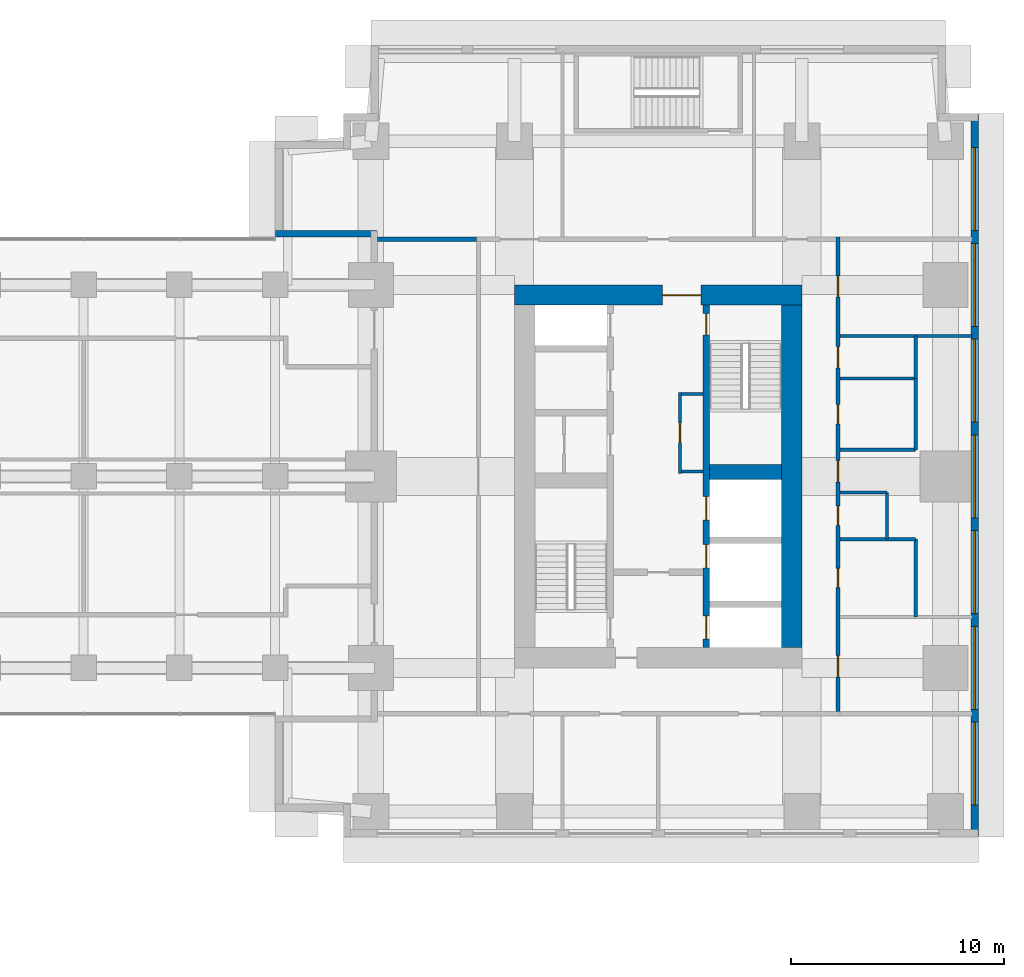
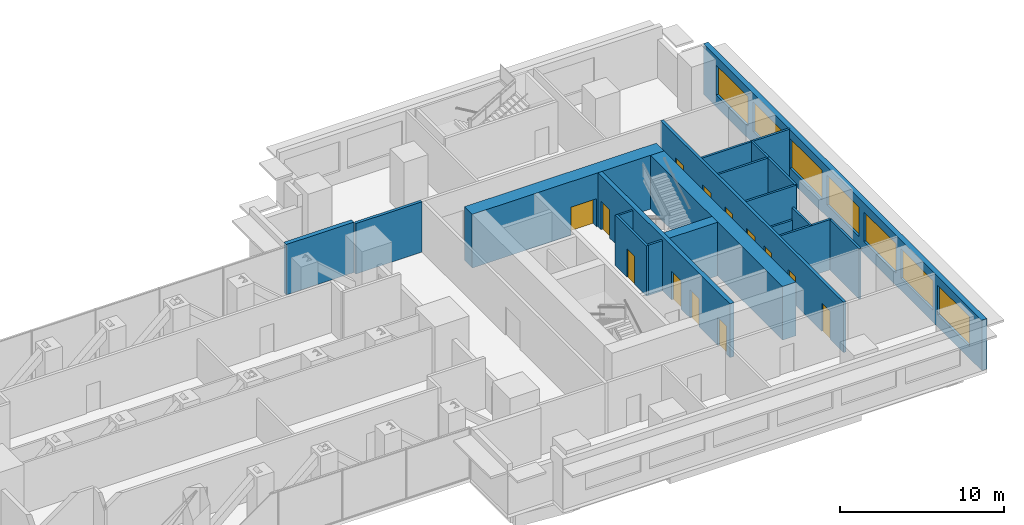
# One storey, part 11 of 16: 20 walls, 13 doors, 7 windows, 20 openings.
"""IFC4 building model written with IfcOpenShell, lengths in metres."""

from ifc_helpers import new_model, si_unit, direction, frame, frame_2d, origin, place, context, subcontext, project, spatial, rectangle, extrude, material, layer, layer_set, type_object, element, fill, save


model = new_model("IFC4")

# Units and contexts
model_context = context("Model", 3, precision=1e-05, world=origin(), true_north=direction((0.0, 1.0)))
body_context = subcontext(model_context, "Body", "Model", "MODEL_VIEW")
ifc_project = project(units=[si_unit("LENGTHUNIT", "METRE"), si_unit("AREAUNIT", "SQUARE_METRE"), si_unit("VOLUMEUNIT", "CUBIC_METRE"), si_unit("PLANEANGLEUNIT", "RADIAN"), si_unit("MASSUNIT", "GRAM", prefix="KILO")], contexts=[model_context])

# Site, building, storey
site_placement = place(None, origin())
site = spatial("IfcSite", under=ifc_project, at=site_placement, CompositionType="ELEMENT")
building_placement = place(site_placement, origin())
building = spatial("IfcBuilding", under=site, at=building_placement, Name="Namib Vertical Campus", CompositionType="ELEMENT")
storey_placement = place(building_placement, frame((0.0, 0.0, 129.0)))
storey = spatial("IfcBuildingStorey", under=building, at=storey_placement, Name="L30", CompositionType="ELEMENT", Elevation=129.0)

# Wall, openings, doors
ifc_material_1 = material(Name="Concrete C60/75", Category="concrete")
ifc_layer_1 = layer(ifc_material_1, 0.300048828125)
ifc_layer_set_1 = layer_set([ifc_layer_1], Name="Concrete C60/75")
wall_type_1 = type_object("IfcWallType", Name="Core inner wall 300", PredefinedType="SHEAR", material=ifc_layer_set_1)
wall_1_placement = place(storey_placement, frame((83.25, 12.199951171875, 0.0), z_axis=(0.0, 0.0, 1.0), x_axis=(0.0, 1.0, 0.0)))
wall_1 = element("IfcWall", 1, at=wall_1_placement, inside=storey, type_object=wall_type_1, Name="Core inner wall B L30 W2", PredefinedType="SHEAR", context=body_context, shape_type="SweptSolid", body=[
    extrude(rectangle(XDim=16.10009765625, YDim=0.300048828125, at=frame_2d((8.050048828125, 0.0))), origin(), (0.0, 0.0, 1.0), 4.0),
])
opening_1_placement = place(wall_1_placement, frame((14.699951171875, 0.0, 0.0)))
opening_1 = element("IfcOpeningElement", 2, at=opening_1_placement, cuts=wall_1, Name="Opening FD1", PredefinedType="OPENING", context=body_context, shape_type="SweptSolid", body=[
    extrude(rectangle(XDim=1.0, YDim=2.10009765625, at=frame_2d((0.5, 1.050048828125))), frame((0.0, 0.159912109375, 0.0), z_axis=(0.0, -1.0, 0.0), x_axis=(1.0, 0.0, 0.0)), (0.0, 0.0, 1.0), 0.320068359375),
])
opening_2_placement = place(wall_1_placement, frame((0.39990234375, 0.0, 0.0)))
opening_2 = element("IfcOpeningElement", 3, at=opening_2_placement, cuts=wall_1, Name="Opening LD1", PredefinedType="OPENING", context=body_context, shape_type="SweptSolid", body=[
    extrude(rectangle(XDim=1.10009765625, YDim=2.10009765625, at=frame_2d((0.550048828125, 1.050048828125))), frame((0.0, 0.159912109375, 0.0), z_axis=(0.0, -1.0, 0.0), x_axis=(1.0, 0.0, 0.0)), (0.0, 0.0, 1.0), 0.320068359375),
])
opening_3_placement = place(wall_1_placement, frame((3.75, 0.0, 0.0)))
opening_3 = element("IfcOpeningElement", 4, at=opening_3_placement, cuts=wall_1, Name="Opening LD1", PredefinedType="OPENING", context=body_context, shape_type="SweptSolid", body=[
    extrude(rectangle(XDim=1.10009765625, YDim=2.10009765625, at=frame_2d((0.550048828125, 1.050048828125))), frame((0.0, 0.159912109375, 0.0), z_axis=(0.0, -1.0, 0.0), x_axis=(1.0, 0.0, 0.0)), (0.0, 0.0, 1.0), 0.320068359375),
])
opening_4_placement = place(wall_1_placement, frame((6.0, 0.0, 0.0)))
opening_4 = element("IfcOpeningElement", 5, at=opening_4_placement, cuts=wall_1, Name="Opening LD1", PredefinedType="OPENING", context=body_context, shape_type="SweptSolid", body=[
    extrude(rectangle(XDim=1.10009765625, YDim=2.10009765625, at=frame_2d((0.550048828125, 1.050048828125))), frame((0.0, 0.159912109375, 0.0), z_axis=(0.0, -1.0, 0.0), x_axis=(1.0, 0.0, 0.0)), (0.0, 0.0, 1.0), 0.320068359375),
])
ifc_material_2 = material(Name="Steel fire door", Category="steel")
door_type_1 = type_object("IfcDoorType", Name="Fire door 1000x2100", OperationType="SINGLE_SWING_RIGHT", PredefinedType="DOOR", material=ifc_material_2)
door_1_placement = place(opening_1_placement, frame((1.0, 0.0, 0.0), z_axis=(0.0, 0.0, 1.0), x_axis=(-1.0, 0.0, 0.0)))
door_1 = element("IfcDoor", 6, at=door_1_placement, inside=storey, type_object=door_type_1, Name="Stair door FD1 B L30 S2", OperationType="SINGLE_SWING_LEFT", OverallHeight=2.10009765625, OverallWidth=1.0, PredefinedType="DOOR", context=body_context, shape_type="SweptSolid", body=[
    extrude(rectangle(XDim=1.0, YDim=2.10009765625, at=frame_2d((0.5, 1.050048828125))), frame((0.0, 0.02490234375, 0.0), z_axis=(0.0, -1.0, 0.0), x_axis=(1.0, 0.0, 0.0)), (0.0, 0.0, 1.0), 0.050048828125),
])
fill(opening_1, door_1)
ifc_material_3 = material(Name="Stainless steel lift door", Category="steel")
door_type_2 = type_object("IfcDoorType", Name="Lift landing door 1100x2100", OperationType="DOUBLE_DOOR_SLIDING", PredefinedType="DOOR", material=ifc_material_3)
door_2_placement = place(opening_2_placement, origin())
door_2 = element("IfcDoor", 7, at=door_2_placement, inside=storey, type_object=door_type_2, Name="Lift landing door LD1 B-FL1 L30", OperationType="DOUBLE_DOOR_SLIDING", OverallHeight=2.10009765625, OverallWidth=1.10009765625, PredefinedType="DOOR", context=body_context, shape_type="SweptSolid", body=[
    extrude(rectangle(XDim=1.10009765625, YDim=2.10009765625, at=frame_2d((0.550048828125, 1.050048828125))), frame((0.0, 0.02490234375, 0.0), z_axis=(0.0, -1.0, 0.0), x_axis=(1.0, 0.0, 0.0)), (0.0, 0.0, 1.0), 0.050048828125),
])
fill(opening_2, door_2)
door_3_placement = place(opening_3_placement, origin())
door_3 = element("IfcDoor", 8, at=door_3_placement, inside=storey, type_object=door_type_2, Name="Lift landing door LD1 B-P4 L30", OperationType="DOUBLE_DOOR_SLIDING", OverallHeight=2.10009765625, OverallWidth=1.10009765625, PredefinedType="DOOR", context=body_context, shape_type="SweptSolid", body=[
    extrude(rectangle(XDim=1.10009765625, YDim=2.10009765625, at=frame_2d((0.550048828125, 1.050048828125))), frame((0.0, 0.02490234375, 0.0), z_axis=(0.0, -1.0, 0.0), x_axis=(1.0, 0.0, 0.0)), (0.0, 0.0, 1.0), 0.050048828125),
])
fill(opening_3, door_3)
door_4_placement = place(opening_4_placement, origin())
door_4 = element("IfcDoor", 9, at=door_4_placement, inside=storey, type_object=door_type_2, Name="Lift landing door LD1 B-P5 L30", OperationType="DOUBLE_DOOR_SLIDING", OverallHeight=2.10009765625, OverallWidth=1.10009765625, PredefinedType="DOOR", context=body_context, shape_type="SweptSolid", body=[
    extrude(rectangle(XDim=1.10009765625, YDim=2.10009765625, at=frame_2d((0.550048828125, 1.050048828125))), frame((0.0, 0.02490234375, 0.0), z_axis=(0.0, -1.0, 0.0), x_axis=(1.0, 0.0, 0.0)), (0.0, 0.0, 1.0), 0.050048828125),
])
fill(opening_4, door_4)

# Walls
ifc_material_4 = material(Name="Concrete C60/75", Category="concrete")
ifc_layer_2 = layer(ifc_material_4, 0.699951171875)
ifc_layer_set_2 = layer_set([ifc_layer_2], Name="Concrete C60/75")
wall_type_2 = type_object("IfcWallType", Name="Core shear wall 700", PredefinedType="SHEAR", material=ifc_layer_set_2)
wall_2_placement = place(storey_placement, frame((83.39990234375, 20.449951171875, 0.0), z_axis=(0.0, 0.0, 1.0), x_axis=(1.0, 0.0, 0.0)))
element("IfcWall", 10, at=wall_2_placement, inside=storey, type_object=wall_type_2, Name="Core shear wall B L30 W7", PredefinedType="SHEAR", context=body_context, shape_type="SweptSolid", body=[
    extrude(rectangle(XDim=3.400146484375, YDim=0.699951171875, at=frame_2d((1.7001953125, 0.0))), origin(), (0.0, 0.0, 1.0), 4.0),
])
ifc_material_5 = material(Name="Concrete C60/75", Category="concrete")
ifc_layer_3 = layer(ifc_material_5, 0.949951171875)
ifc_layer_set_3 = layer_set([ifc_layer_3], Name="Concrete C60/75")
wall_type_3 = type_object("IfcWallType", Name="Core wall 950", PredefinedType="SHEAR", material=ifc_layer_set_3)
wall_3_placement = place(storey_placement, frame((87.27490234375, 12.199951171875, 0.0), z_axis=(0.0, 0.0, 1.0), x_axis=(0.0, 1.0, 0.0)))
element("IfcWall", 11, at=wall_3_placement, inside=storey, type_object=wall_type_3, Name="Core wall B L30 2", PredefinedType="SHEAR", context=body_context, shape_type="SweptSolid", body=[
    extrude(rectangle(XDim=16.10009765625, YDim=0.949951171875, at=frame_2d((8.050048828125, 0.0))), origin(), (0.0, 0.0, 1.0), 4.0),
])

# Wall, opening, door
wall_4_placement = place(storey_placement, frame((87.75, 28.77490234375, 0.0), z_axis=(0.0, 0.0, 1.0), x_axis=(-1.0, 0.0, 0.0)))
wall_4 = element("IfcWall", 12, at=wall_4_placement, inside=storey, type_object=wall_type_3, Name="Core wall B L30 3", PredefinedType="SHEAR", context=body_context, shape_type="SweptSolid", body=[
    extrude(rectangle(XDim=13.5, YDim=0.949951171875, at=frame_2d((6.75, 0.0))), origin(), (0.0, 0.0, 1.0), 4.0),
])
opening_5_placement = place(wall_4_placement, frame((4.75, 0.0, 0.0)))
opening_5 = element("IfcOpeningElement", 13, at=opening_5_placement, cuts=wall_4, Name="Opening FD2", PredefinedType="OPENING", context=body_context, shape_type="SweptSolid", body=[
    extrude(rectangle(XDim=1.800048828125, YDim=2.10009765625, at=frame_2d((0.89990234375, 1.050048828125))), frame((0.0, 0.48486328125, 0.0), z_axis=(0.0, -1.0, 0.0), x_axis=(1.0, 0.0, 0.0)), (0.0, 0.0, 1.0), 0.969970703125),
])
ifc_material_6 = material(Name="Steel fire door", Category="steel")
door_type_3 = type_object("IfcDoorType", Name="Fire door double 1800x2100", OperationType="DOUBLE_DOOR_SINGLE_SWING", PredefinedType="DOOR", material=ifc_material_6)
door_5_placement = place(opening_5_placement, origin())
door_5 = element("IfcDoor", 14, at=door_5_placement, inside=storey, type_object=door_type_3, Name="Lift lobby door FD2 B L30", OperationType="DOUBLE_DOOR_SINGLE_SWING", OverallHeight=2.10009765625, OverallWidth=1.800048828125, PredefinedType="DOOR", context=body_context, shape_type="SweptSolid", body=[
    extrude(rectangle(XDim=1.800048828125, YDim=2.10009765625, at=frame_2d((0.89990234375, 1.050048828125))), frame((0.0, 0.02490234375, 0.0), z_axis=(0.0, -1.0, 0.0), x_axis=(1.0, 0.0, 0.0)), (0.0, 0.0, 1.0), 0.050048828125),
])
fill(opening_5, door_5)

# Wall, openings, doors
ifc_material_7 = material(Name="Concrete masonry", Category="masonry")
ifc_layer_4 = layer(ifc_material_7, 0.199951171875)
ifc_layer_set_4 = layer_set([ifc_layer_4], Name="Corridor wall 200")
wall_type_4 = type_object("IfcWallType", Name="Corridor wall 200", PredefinedType="SOLIDWALL", material=ifc_layer_set_4)
wall_5_placement = place(storey_placement, frame((89.449951171875, 9.199951171875, 0.0), z_axis=(0.0, 0.0, 1.0), x_axis=(0.0, 1.0, 0.0)))
wall_5 = element("IfcWall", 15, at=wall_5_placement, inside=storey, type_object=wall_type_4, Name="Corridor wall B L30 CE", PredefinedType="SOLIDWALL", context=body_context, shape_type="SweptSolid", body=[
    extrude(rectangle(XDim=22.300048828125, YDim=0.199951171875, at=frame_2d((11.14990234375, 0.0))), origin(), (0.0, 0.0, 1.0), 3.75),
])
opening_6_placement = place(wall_5_placement, frame((1.625, 0.0, 0.0)))
opening_6 = element("IfcOpeningElement", 16, at=opening_6_placement, cuts=wall_5, Name="Opening CD1", PredefinedType="OPENING", context=body_context, shape_type="SweptSolid", body=[
    extrude(rectangle(XDim=1.0, YDim=2.10009765625, at=frame_2d((0.5, 1.050048828125))), frame((0.0, 0.10986328125, 0.0), z_axis=(0.0, -1.0, 0.0), x_axis=(1.0, 0.0, 0.0)), (0.0, 0.0, 1.0), 0.219970703125),
])
opening_7_placement = place(wall_5_placement, frame((5.824951171875, 0.0, 0.0)))
opening_7 = element("IfcOpeningElement", 17, at=opening_7_placement, cuts=wall_5, Name="Opening CD3", PredefinedType="OPENING", context=body_context, shape_type="SweptSolid", body=[
    extrude(rectangle(XDim=0.89990234375, YDim=2.10009765625, at=frame_2d((0.449951171875, 1.050048828125))), frame((0.0, 0.10986328125, 0.0), z_axis=(0.0, -1.0, 0.0), x_axis=(1.0, 0.0, 0.0)), (0.0, 0.0, 1.0), 0.219970703125),
])
opening_8_placement = place(wall_5_placement, frame((8.75, 0.0, 0.0)))
opening_8 = element("IfcOpeningElement", 18, at=opening_8_placement, cuts=wall_5, Name="Opening CD3", PredefinedType="OPENING", context=body_context, shape_type="SweptSolid", body=[
    extrude(rectangle(XDim=0.89990234375, YDim=2.10009765625, at=frame_2d((0.449951171875, 1.050048828125))), frame((0.0, 0.10986328125, 0.0), z_axis=(0.0, -1.0, 0.0), x_axis=(1.0, 0.0, 0.0)), (0.0, 0.0, 1.0), 0.219970703125),
])
opening_9_placement = place(wall_5_placement, frame((13.52490234375, 0.0, 0.0)))
opening_9 = element("IfcOpeningElement", 19, at=opening_9_placement, cuts=wall_5, Name="Opening CD3", PredefinedType="OPENING", context=body_context, shape_type="SweptSolid", body=[
    extrude(rectangle(XDim=0.89990234375, YDim=2.10009765625, at=frame_2d((0.449951171875, 1.050048828125))), frame((0.0, 0.10986328125, 0.0), z_axis=(0.0, -1.0, 0.0), x_axis=(1.0, 0.0, 0.0)), (0.0, 0.0, 1.0), 0.219970703125),
])
opening_10_placement = place(wall_5_placement, frame((16.14990234375, 0.0, 0.0)))
opening_10 = element("IfcOpeningElement", 20, at=opening_10_placement, cuts=wall_5, Name="Opening CD1", PredefinedType="OPENING", context=body_context, shape_type="SweptSolid", body=[
    extrude(rectangle(XDim=1.0, YDim=2.10009765625, at=frame_2d((0.5, 1.050048828125))), frame((0.0, 0.10986328125, 0.0), z_axis=(0.0, -1.0, 0.0), x_axis=(1.0, 0.0, 0.0)), (0.0, 0.0, 1.0), 0.219970703125),
])
opening_11_placement = place(wall_5_placement, frame((10.800048828125, 0.0, 0.0)))
opening_11 = element("IfcOpeningElement", 21, at=opening_11_placement, cuts=wall_5, Name="Opening CD1", PredefinedType="OPENING", context=body_context, shape_type="SweptSolid", body=[
    extrude(rectangle(XDim=1.0, YDim=2.10009765625, at=frame_2d((0.5, 1.050048828125))), frame((0.0, 0.10986328125, 0.0), z_axis=(0.0, -1.0, 0.0), x_axis=(1.0, 0.0, 0.0)), (0.0, 0.0, 1.0), 0.219970703125),
])
opening_12_placement = place(wall_5_placement, frame((19.47509765625, 0.0, 0.0)))
opening_12 = element("IfcOpeningElement", 22, at=opening_12_placement, cuts=wall_5, Name="Opening CD1", PredefinedType="OPENING", context=body_context, shape_type="SweptSolid", body=[
    extrude(rectangle(XDim=1.0, YDim=2.10009765625, at=frame_2d((0.5, 1.050048828125))), frame((0.0, 0.10986328125, 0.0), z_axis=(0.0, -1.0, 0.0), x_axis=(1.0, 0.0, 0.0)), (0.0, 0.0, 1.0), 0.219970703125),
])
ifc_material_8 = material(Name="Timber fire door leaf", Category="wood")
door_type_4 = type_object("IfcDoorType", Name="Corridor door 1000x2100 20 min", OperationType="SINGLE_SWING_LEFT", PredefinedType="DOOR", material=ifc_material_8)
door_6_placement = place(opening_6_placement, frame((1.0, 0.0, 0.0), z_axis=(0.0, 0.0, 1.0), x_axis=(-1.0, 0.0, 0.0)))
door_6 = element("IfcDoor", 23, at=door_6_placement, inside=storey, type_object=door_type_4, Name="Door CD1 B30-04", OperationType="SINGLE_SWING_RIGHT", OverallHeight=2.10009765625, OverallWidth=1.0, PredefinedType="DOOR", context=body_context, shape_type="SweptSolid", body=[
    extrude(rectangle(XDim=1.0, YDim=2.10009765625, at=frame_2d((0.5, 1.050048828125))), frame((0.0, 0.02490234375, 0.0), z_axis=(0.0, -1.0, 0.0), x_axis=(1.0, 0.0, 0.0)), (0.0, 0.0, 1.0), 0.050048828125),
])
fill(opening_6, door_6)
door_7_placement = place(opening_10_placement, frame((1.0, 0.0, 0.0), z_axis=(0.0, 0.0, 1.0), x_axis=(-1.0, 0.0, 0.0)))
door_7 = element("IfcDoor", 24, at=door_7_placement, inside=storey, type_object=door_type_4, Name="Door CD1 B30-08", OperationType="SINGLE_SWING_RIGHT", OverallHeight=2.10009765625, OverallWidth=1.0, PredefinedType="DOOR", context=body_context, shape_type="SweptSolid", body=[
    extrude(rectangle(XDim=1.0, YDim=2.10009765625, at=frame_2d((0.5, 1.050048828125))), frame((0.0, 0.02490234375, 0.0), z_axis=(0.0, -1.0, 0.0), x_axis=(1.0, 0.0, 0.0)), (0.0, 0.0, 1.0), 0.050048828125),
])
fill(opening_10, door_7)
door_8_placement = place(opening_11_placement, frame((1.0, 0.0, 0.0), z_axis=(0.0, 0.0, 1.0), x_axis=(-1.0, 0.0, 0.0)))
door_8 = element("IfcDoor", 25, at=door_8_placement, inside=storey, type_object=door_type_4, Name="Door CD1 B30-09", OperationType="SINGLE_SWING_RIGHT", OverallHeight=2.10009765625, OverallWidth=1.0, PredefinedType="DOOR", context=body_context, shape_type="SweptSolid", body=[
    extrude(rectangle(XDim=1.0, YDim=2.10009765625, at=frame_2d((0.5, 1.050048828125))), frame((0.0, 0.02490234375, 0.0), z_axis=(0.0, -1.0, 0.0), x_axis=(1.0, 0.0, 0.0)), (0.0, 0.0, 1.0), 0.050048828125),
])
fill(opening_11, door_8)
door_9_placement = place(opening_12_placement, frame((1.0, 0.0, 0.0), z_axis=(0.0, 0.0, 1.0), x_axis=(-1.0, 0.0, 0.0)))
door_9 = element("IfcDoor", 26, at=door_9_placement, inside=storey, type_object=door_type_4, Name="Door CD1 B30-10", OperationType="SINGLE_SWING_RIGHT", OverallHeight=2.10009765625, OverallWidth=1.0, PredefinedType="DOOR", context=body_context, shape_type="SweptSolid", body=[
    extrude(rectangle(XDim=1.0, YDim=2.10009765625, at=frame_2d((0.5, 1.050048828125))), frame((0.0, 0.02490234375, 0.0), z_axis=(0.0, -1.0, 0.0), x_axis=(1.0, 0.0, 0.0)), (0.0, 0.0, 1.0), 0.050048828125),
])
fill(opening_12, door_9)
ifc_material_9 = material(Name="Timber fire door leaf", Category="wood")
door_type_5 = type_object("IfcDoorType", Name="Corridor toilet door 900x2100 20 min", OperationType="SINGLE_SWING_LEFT", PredefinedType="DOOR", material=ifc_material_9)
door_10_placement = place(opening_7_placement, frame((0.89990234375, 0.0, 0.0), z_axis=(0.0, 0.0, 1.0), x_axis=(-1.0, 0.0, 0.0)))
door_10 = element("IfcDoor", 27, at=door_10_placement, inside=storey, type_object=door_type_5, Name="Door CD3 B30-05", OperationType="SINGLE_SWING_RIGHT", OverallHeight=2.10009765625, OverallWidth=0.89990234375, PredefinedType="DOOR", context=body_context, shape_type="SweptSolid", body=[
    extrude(rectangle(XDim=0.89990234375, YDim=2.10009765625, at=frame_2d((0.449951171875, 1.050048828125))), frame((0.0, 0.02490234375, 0.0), z_axis=(0.0, -1.0, 0.0), x_axis=(1.0, 0.0, 0.0)), (0.0, 0.0, 1.0), 0.050048828125),
])
fill(opening_7, door_10)
door_11_placement = place(opening_8_placement, frame((0.89990234375, 0.0, 0.0), z_axis=(0.0, 0.0, 1.0), x_axis=(-1.0, 0.0, 0.0)))
door_11 = element("IfcDoor", 28, at=door_11_placement, inside=storey, type_object=door_type_5, Name="Door CD3 B30-06", OperationType="SINGLE_SWING_RIGHT", OverallHeight=2.10009765625, OverallWidth=0.89990234375, PredefinedType="DOOR", context=body_context, shape_type="SweptSolid", body=[
    extrude(rectangle(XDim=0.89990234375, YDim=2.10009765625, at=frame_2d((0.449951171875, 1.050048828125))), frame((0.0, 0.02490234375, 0.0), z_axis=(0.0, -1.0, 0.0), x_axis=(1.0, 0.0, 0.0)), (0.0, 0.0, 1.0), 0.050048828125),
])
fill(opening_8, door_11)
door_12_placement = place(opening_9_placement, frame((0.89990234375, 0.0, 0.0), z_axis=(0.0, 0.0, 1.0), x_axis=(-1.0, 0.0, 0.0)))
door_12 = element("IfcDoor", 29, at=door_12_placement, inside=storey, type_object=door_type_5, Name="Door CD3 B30-07", OperationType="SINGLE_SWING_RIGHT", OverallHeight=2.10009765625, OverallWidth=0.89990234375, PredefinedType="DOOR", context=body_context, shape_type="SweptSolid", body=[
    extrude(rectangle(XDim=0.89990234375, YDim=2.10009765625, at=frame_2d((0.449951171875, 1.050048828125))), frame((0.0, 0.02490234375, 0.0), z_axis=(0.0, -1.0, 0.0), x_axis=(1.0, 0.0, 0.0)), (0.0, 0.0, 1.0), 0.050048828125),
])
fill(opening_9, door_12)

# Wall
wall_6_placement = place(storey_placement, frame((67.800048828125, 31.39990234375, 0.0), z_axis=(0.0, 0.0, 1.0), x_axis=(1.0, 0.0, 0.0)))
element("IfcWall", 30, at=wall_6_placement, inside=storey, type_object=wall_type_4, Name="Partition B L30 BNW", PredefinedType="SOLIDWALL", context=body_context, shape_type="SweptSolid", body=[
    extrude(rectangle(XDim=4.64990234375, YDim=0.199951171875, at=frame_2d((2.324951171875, 0.0))), origin(), (0.0, 0.0, 1.0), 3.75),
])

# Wall, openings, windows
ifc_material_10 = material(Name="Concrete C40/50", Category="concrete")
ifc_layer_5 = layer(ifc_material_10, 0.35009765625)
ifc_layer_set_5 = layer_set([ifc_layer_5], Name="Concrete C40/50")
wall_type_5 = type_object("IfcWallType", Name="External wall 350 bush-hammered concrete", PredefinedType="STANDARD", material=ifc_layer_set_5)
wall_7_placement = place(storey_placement, frame((95.875, 3.320068359375, 0.0), z_axis=(0.0, 0.0, 1.0), x_axis=(0.0, 1.0, 0.0)))
wall_7 = element("IfcWall", 31, at=wall_7_placement, inside=storey, type_object=wall_type_5, Name="External wall L30 F05", PredefinedType="STANDARD", context=body_context, shape_type="SweptSolid", body=[
    extrude(rectangle(XDim=33.9599609375, YDim=0.35009765625, at=frame_2d((16.97998046875, 0.0))), origin(), (0.0, 0.0, 1.0), 3.75),
])
opening_13_placement = place(wall_7_placement, frame((1.47998046875, 0.0, 0.89990234375)))
opening_13 = element("IfcOpeningElement", 32, at=opening_13_placement, cuts=wall_7, Name="Opening W1", PredefinedType="OPENING", context=body_context, shape_type="SweptSolid", body=[
    extrude(rectangle(XDim=3.89990234375, YDim=2.199951171875, at=frame_2d((1.949951171875, 1.10009765625))), frame((0.0, 0.18505859375, 0.0), z_axis=(0.0, -1.0, 0.0), x_axis=(1.0, 0.0, 0.0)), (0.0, 0.0, 1.0), 0.3701171875),
])
opening_14_placement = place(wall_7_placement, frame((5.97998046875, 0.0, 0.89990234375)))
opening_14 = element("IfcOpeningElement", 33, at=opening_14_placement, cuts=wall_7, Name="Opening W1", PredefinedType="OPENING", context=body_context, shape_type="SweptSolid", body=[
    extrude(rectangle(XDim=3.89990234375, YDim=2.199951171875, at=frame_2d((1.949951171875, 1.10009765625))), frame((0.0, 0.18505859375, 0.0), z_axis=(0.0, -1.0, 0.0), x_axis=(1.0, 0.0, 0.0)), (0.0, 0.0, 1.0), 0.3701171875),
])
opening_15_placement = place(wall_7_placement, frame((10.47998046875, 0.0, 0.89990234375)))
opening_15 = element("IfcOpeningElement", 34, at=opening_15_placement, cuts=wall_7, Name="Opening W1", PredefinedType="OPENING", context=body_context, shape_type="SweptSolid", body=[
    extrude(rectangle(XDim=3.89990234375, YDim=2.199951171875, at=frame_2d((1.949951171875, 1.10009765625))), frame((0.0, 0.18505859375, 0.0), z_axis=(0.0, -1.0, 0.0), x_axis=(1.0, 0.0, 0.0)), (0.0, 0.0, 1.0), 0.3701171875),
])
opening_16_placement = place(wall_7_placement, frame((14.97998046875, 0.0, 0.89990234375)))
opening_16 = element("IfcOpeningElement", 35, at=opening_16_placement, cuts=wall_7, Name="Opening W1", PredefinedType="OPENING", context=body_context, shape_type="SweptSolid", body=[
    extrude(rectangle(XDim=3.89990234375, YDim=2.199951171875, at=frame_2d((1.949951171875, 1.10009765625))), frame((0.0, 0.18505859375, 0.0), z_axis=(0.0, -1.0, 0.0), x_axis=(1.0, 0.0, 0.0)), (0.0, 0.0, 1.0), 0.3701171875),
])
opening_17_placement = place(wall_7_placement, frame((19.47998046875, 0.0, 0.89990234375)))
opening_17 = element("IfcOpeningElement", 36, at=opening_17_placement, cuts=wall_7, Name="Opening W1", PredefinedType="OPENING", context=body_context, shape_type="SweptSolid", body=[
    extrude(rectangle(XDim=3.89990234375, YDim=2.199951171875, at=frame_2d((1.949951171875, 1.10009765625))), frame((0.0, 0.18505859375, 0.0), z_axis=(0.0, -1.0, 0.0), x_axis=(1.0, 0.0, 0.0)), (0.0, 0.0, 1.0), 0.3701171875),
])
opening_18_placement = place(wall_7_placement, frame((23.97998046875, 0.0, 0.89990234375)))
opening_18 = element("IfcOpeningElement", 37, at=opening_18_placement, cuts=wall_7, Name="Opening W1", PredefinedType="OPENING", context=body_context, shape_type="SweptSolid", body=[
    extrude(rectangle(XDim=3.89990234375, YDim=2.199951171875, at=frame_2d((1.949951171875, 1.10009765625))), frame((0.0, 0.18505859375, 0.0), z_axis=(0.0, -1.0, 0.0), x_axis=(1.0, 0.0, 0.0)), (0.0, 0.0, 1.0), 0.3701171875),
])
opening_19_placement = place(wall_7_placement, frame((28.47998046875, 0.0, 0.89990234375)))
opening_19 = element("IfcOpeningElement", 38, at=opening_19_placement, cuts=wall_7, Name="Opening W1", PredefinedType="OPENING", context=body_context, shape_type="SweptSolid", body=[
    extrude(rectangle(XDim=3.89990234375, YDim=2.199951171875, at=frame_2d((1.949951171875, 1.10009765625))), frame((0.0, 0.18505859375, 0.0), z_axis=(0.0, -1.0, 0.0), x_axis=(1.0, 0.0, 0.0)), (0.0, 0.0, 1.0), 0.3701171875),
])
ifc_material_11 = material(Name="Dark tinted glass in black aluminium frame", Category="aluminium")
window_type = type_object("IfcWindowType", Name="Ribbon window 3900x2200", PartitioningType="SINGLE_PANEL", PredefinedType="WINDOW", material=ifc_material_11)
window_1_placement = place(opening_13_placement, origin())
window_1 = element("IfcWindow", 39, at=window_1_placement, inside=storey, type_object=window_type, Name="Window W1 L30 F05-1", OverallHeight=2.199951171875, OverallWidth=3.89990234375, PartitioningType="SINGLE_PANEL", PredefinedType="WINDOW", context=body_context, shape_type="SweptSolid", body=[
    extrude(rectangle(XDim=3.89990234375, YDim=2.199951171875, at=frame_2d((1.949951171875, 1.10009765625))), frame((0.0, 0.030029296875, 0.0), z_axis=(0.0, -1.0, 0.0), x_axis=(1.0, 0.0, 0.0)), (0.0, 0.0, 1.0), 0.06005859375),
])
fill(opening_13, window_1)
window_2_placement = place(opening_14_placement, origin())
window_2 = element("IfcWindow", 40, at=window_2_placement, inside=storey, type_object=window_type, Name="Window W1 L30 F05-2", OverallHeight=2.199951171875, OverallWidth=3.89990234375, PartitioningType="SINGLE_PANEL", PredefinedType="WINDOW", context=body_context, shape_type="SweptSolid", body=[
    extrude(rectangle(XDim=3.89990234375, YDim=2.199951171875, at=frame_2d((1.949951171875, 1.10009765625))), frame((0.0, 0.030029296875, 0.0), z_axis=(0.0, -1.0, 0.0), x_axis=(1.0, 0.0, 0.0)), (0.0, 0.0, 1.0), 0.06005859375),
])
fill(opening_14, window_2)
window_3_placement = place(opening_15_placement, origin())
window_3 = element("IfcWindow", 41, at=window_3_placement, inside=storey, type_object=window_type, Name="Window W1 L30 F05-3", OverallHeight=2.199951171875, OverallWidth=3.89990234375, PartitioningType="SINGLE_PANEL", PredefinedType="WINDOW", context=body_context, shape_type="SweptSolid", body=[
    extrude(rectangle(XDim=3.89990234375, YDim=2.199951171875, at=frame_2d((1.949951171875, 1.10009765625))), frame((0.0, 0.030029296875, 0.0), z_axis=(0.0, -1.0, 0.0), x_axis=(1.0, 0.0, 0.0)), (0.0, 0.0, 1.0), 0.06005859375),
])
fill(opening_15, window_3)
window_4_placement = place(opening_16_placement, origin())
window_4 = element("IfcWindow", 42, at=window_4_placement, inside=storey, type_object=window_type, Name="Window W1 L30 F05-4", OverallHeight=2.199951171875, OverallWidth=3.89990234375, PartitioningType="SINGLE_PANEL", PredefinedType="WINDOW", context=body_context, shape_type="SweptSolid", body=[
    extrude(rectangle(XDim=3.89990234375, YDim=2.199951171875, at=frame_2d((1.949951171875, 1.10009765625))), frame((0.0, 0.030029296875, 0.0), z_axis=(0.0, -1.0, 0.0), x_axis=(1.0, 0.0, 0.0)), (0.0, 0.0, 1.0), 0.06005859375),
])
fill(opening_16, window_4)
window_5_placement = place(opening_17_placement, origin())
window_5 = element("IfcWindow", 43, at=window_5_placement, inside=storey, type_object=window_type, Name="Window W1 L30 F05-5", OverallHeight=2.199951171875, OverallWidth=3.89990234375, PartitioningType="SINGLE_PANEL", PredefinedType="WINDOW", context=body_context, shape_type="SweptSolid", body=[
    extrude(rectangle(XDim=3.89990234375, YDim=2.199951171875, at=frame_2d((1.949951171875, 1.10009765625))), frame((0.0, 0.030029296875, 0.0), z_axis=(0.0, -1.0, 0.0), x_axis=(1.0, 0.0, 0.0)), (0.0, 0.0, 1.0), 0.06005859375),
])
fill(opening_17, window_5)
window_6_placement = place(opening_18_placement, origin())
window_6 = element("IfcWindow", 44, at=window_6_placement, inside=storey, type_object=window_type, Name="Window W1 L30 F05-6", OverallHeight=2.199951171875, OverallWidth=3.89990234375, PartitioningType="SINGLE_PANEL", PredefinedType="WINDOW", context=body_context, shape_type="SweptSolid", body=[
    extrude(rectangle(XDim=3.89990234375, YDim=2.199951171875, at=frame_2d((1.949951171875, 1.10009765625))), frame((0.0, 0.030029296875, 0.0), z_axis=(0.0, -1.0, 0.0), x_axis=(1.0, 0.0, 0.0)), (0.0, 0.0, 1.0), 0.06005859375),
])
fill(opening_18, window_6)
window_7_placement = place(opening_19_placement, origin())
window_7 = element("IfcWindow", 45, at=window_7_placement, inside=storey, type_object=window_type, Name="Window W1 L30 F05-7", OverallHeight=2.199951171875, OverallWidth=3.89990234375, PartitioningType="SINGLE_PANEL", PredefinedType="WINDOW", context=body_context, shape_type="SweptSolid", body=[
    extrude(rectangle(XDim=3.89990234375, YDim=2.199951171875, at=frame_2d((1.949951171875, 1.10009765625))), frame((0.0, 0.030029296875, 0.0), z_axis=(0.0, -1.0, 0.0), x_axis=(1.0, 0.0, 0.0)), (0.0, 0.0, 1.0), 0.06005859375),
])
fill(opening_19, window_7)

# Wall
ifc_material_12 = material(Name="Concrete masonry", Category="masonry")
ifc_layer_6 = layer(ifc_material_12, 0.300048828125)
ifc_layer_set_6 = layer_set([ifc_layer_6], Name="Fire wall 300")
wall_type_6 = type_object("IfcWallType", Name="Fire wall 300", PredefinedType="SOLIDWALL", material=ifc_layer_set_6)
wall_8_placement = place(storey_placement, frame((63.02001953125, 31.64990234375, 0.0), z_axis=(0.0, 0.0, 1.0), x_axis=(1.0, 0.0, 0.0)))
element("IfcWall", 46, at=wall_8_placement, inside=storey, type_object=wall_type_6, Name="External wall L30 F14", PredefinedType="SOLIDWALL", context=body_context, shape_type="SweptSolid", body=[
    extrude(rectangle(XDim=4.760009765625, YDim=0.300048828125, at=frame_2d((2.3798828125, 0.0))), origin(), (0.0, 0.0, 1.0), 3.75),
])

# Wall, opening, door
ifc_material_13 = material(Name="Gypsum board on steel studs", Category="steel")
ifc_layer_7 = layer(ifc_material_13, 0.14990234375)
ifc_layer_set_7 = layer_set([ifc_layer_7], Name="Gypsum board on steel studs")
wall_type_7 = type_object("IfcWallType", Name="Partition 150", PredefinedType="PARTITIONING", material=ifc_layer_set_7)
wall_9_placement = place(storey_placement, frame((82.02490234375, 20.39990234375, 0.0), z_axis=(0.0, 0.0, 1.0), x_axis=(0.0, 1.0, 0.0)))
wall_9 = element("IfcWall", 47, at=wall_9_placement, inside=storey, type_object=wall_type_7, Name="Partition B L30 Linen store front", PredefinedType="PARTITIONING", context=body_context, shape_type="SweptSolid", body=[
    extrude(rectangle(XDim=3.800048828125, YDim=0.14990234375, at=frame_2d((1.89990234375, 0.0))), origin(), (0.0, 0.0, 1.0), 3.75),
])
opening_20_placement = place(wall_9_placement, frame((1.449951171875, 0.0, 0.0)))
opening_20 = element("IfcOpeningElement", 48, at=opening_20_placement, cuts=wall_9, Name="Opening D3", PredefinedType="OPENING", context=body_context, shape_type="SweptSolid", body=[
    extrude(rectangle(XDim=0.89990234375, YDim=2.10009765625, at=frame_2d((0.449951171875, 1.050048828125))), frame((0.0, 0.0849609375, 0.0), z_axis=(0.0, -1.0, 0.0), x_axis=(1.0, 0.0, 0.0)), (0.0, 0.0, 1.0), 0.169921875),
])
ifc_material_14 = material(Name="Timber door leaf", Category="wood")
door_type_6 = type_object("IfcDoorType", Name="Toilet door 900x2100", OperationType="SINGLE_SWING_LEFT", PredefinedType="DOOR", material=ifc_material_14)
door_13_placement = place(opening_20_placement, frame((0.89990234375, 0.0, 0.0), z_axis=(0.0, 0.0, 1.0), x_axis=(-1.0, 0.0, 0.0)))
door_13 = element("IfcDoor", 49, at=door_13_placement, inside=storey, type_object=door_type_6, Name="Door D3 Linen store B L30", OperationType="SINGLE_SWING_RIGHT", OverallHeight=2.10009765625, OverallWidth=0.89990234375, PredefinedType="DOOR", context=body_context, shape_type="SweptSolid", body=[
    extrude(rectangle(XDim=0.89990234375, YDim=2.10009765625, at=frame_2d((0.449951171875, 1.050048828125))), frame((0.0, 0.02490234375, 0.0), z_axis=(0.0, -1.0, 0.0), x_axis=(1.0, 0.0, 0.0)), (0.0, 0.0, 1.0), 0.050048828125),
])
fill(opening_20, door_13)

# Walls
for number, where, z_axis, x_axis, name in (
    (50, (82.10009765625, 20.47509765625, 0.0), (0.0, 0.0, 1.0), (1.0, 0.0, 0.0), "Partition B L30 Linen store end 1"),
    (51, (82.10009765625, 24.125, 0.0), (0.0, 0.0, 1.0), (1.0, 0.0, 0.0), "Partition B L30 Linen store end 2"),
):
    element("IfcWall", number, at=place(storey_placement, frame(where, z_axis=z_axis, x_axis=x_axis)), inside=storey, type_object=wall_type_7, Name=name, PredefinedType="PARTITIONING", context=body_context, shape_type="SweptSolid", body=[
        extrude(rectangle(XDim=1.0, YDim=0.14990234375, at=frame_2d((0.5, 0.0))), origin(), (0.0, 0.0, 1.0), 3.75),
    ])
wall_10_placement = place(storey_placement, frame((89.550048828125, 26.85009765625, 0.0), z_axis=(0.0, 0.0, 1.0), x_axis=(1.0, 0.0, 0.0)))
element("IfcWall", 52, at=wall_10_placement, inside=storey, type_object=wall_type_7, Name="Partition B L30 PE2", PredefinedType="PARTITIONING", context=body_context, shape_type="SweptSolid", body=[
    extrude(rectangle(XDim=6.199951171875, YDim=0.14990234375, at=frame_2d((3.10009765625, 0.0))), origin(), (0.0, 0.0, 1.0), 3.75),
])
wall_11_placement = place(storey_placement, frame((89.550048828125, 17.300048828125, 0.0), z_axis=(0.0, 0.0, 1.0), x_axis=(1.0, 0.0, 0.0)))
element("IfcWall", 53, at=wall_11_placement, inside=storey, type_object=wall_type_7, Name="Partition B L30 WR1", PredefinedType="PARTITIONING", context=body_context, shape_type="SweptSolid", body=[
    extrude(rectangle(XDim=3.550048828125, YDim=0.14990234375, at=frame_2d((1.77490234375, 0.0))), origin(), (0.0, 0.0, 1.0), 3.75),
])
wall_12_placement = place(storey_placement, frame((89.550048828125, 19.5, 0.0), z_axis=(0.0, 0.0, 1.0), x_axis=(1.0, 0.0, 0.0)))
element("IfcWall", 54, at=wall_12_placement, inside=storey, type_object=wall_type_7, Name="Partition B L30 WR2", PredefinedType="PARTITIONING", context=body_context, shape_type="SweptSolid", body=[
    extrude(rectangle(XDim=2.199951171875, YDim=0.14990234375, at=frame_2d((1.10009765625, 0.0))), origin(), (0.0, 0.0, 1.0), 2.85009765625),
])
for number, where, z_axis, x_axis, name in (
    (55, (89.550048828125, 21.5, 0.0), (0.0, 0.0, 1.0), (1.0, 0.0, 0.0), "Partition B L30 WR3"),
    (56, (89.550048828125, 24.85009765625, 0.0), (0.0, 0.0, 1.0), (1.0, 0.0, 0.0), "Partition B L30 WR4"),
):
    element("IfcWall", number, at=place(storey_placement, frame(where, z_axis=z_axis, x_axis=x_axis)), inside=storey, type_object=wall_type_7, Name=name, PredefinedType="PARTITIONING", context=body_context, shape_type="SweptSolid", body=[
        extrude(rectangle(XDim=3.550048828125, YDim=0.14990234375, at=frame_2d((1.77490234375, 0.0))), origin(), (0.0, 0.0, 1.0), 3.75),
    ])
wall_13_placement = place(storey_placement, frame((93.10009765625, 13.64990234375, 0.0), z_axis=(0.0, 0.0, 1.0), x_axis=(0.0, 1.0, 0.0)))
element("IfcWall", 57, at=wall_13_placement, inside=storey, type_object=wall_type_7, Name="Partition B L30 WB1", PredefinedType="PARTITIONING", context=body_context, shape_type="SweptSolid", body=[
    extrude(rectangle(XDim=3.650146484375, YDim=0.14990234375, at=frame_2d((1.8251953125, 0.0))), origin(), (0.0, 0.0, 1.0), 3.75),
])
wall_14_placement = place(storey_placement, frame((91.75, 17.300048828125, 0.0), z_axis=(0.0, 0.0, 1.0), x_axis=(0.0, 1.0, 0.0)))
element("IfcWall", 58, at=wall_14_placement, inside=storey, type_object=wall_type_7, Name="Partition B L30 WB2", PredefinedType="PARTITIONING", context=body_context, shape_type="SweptSolid", body=[
    extrude(rectangle(XDim=2.199951171875, YDim=0.14990234375, at=frame_2d((1.10009765625, 0.0))), origin(), (0.0, 0.0, 1.0), 3.75),
])
wall_15_placement = place(storey_placement, frame((93.10009765625, 21.5, 0.0), z_axis=(0.0, 0.0, 1.0), x_axis=(0.0, 1.0, 0.0)))
element("IfcWall", 59, at=wall_15_placement, inside=storey, type_object=wall_type_7, Name="Partition B L30 WB3", PredefinedType="PARTITIONING", context=body_context, shape_type="SweptSolid", body=[
    extrude(rectangle(XDim=3.35009765625, YDim=0.14990234375, at=frame_2d((1.675048828125, 0.0))), origin(), (0.0, 0.0, 1.0), 3.75),
])
wall_16_placement = place(storey_placement, frame((93.10009765625, 24.85009765625, 0.0), z_axis=(0.0, 0.0, 1.0), x_axis=(0.0, 1.0, 0.0)))
element("IfcWall", 60, at=wall_16_placement, inside=storey, type_object=wall_type_7, Name="Partition B L30 WB4", PredefinedType="PARTITIONING", context=body_context, shape_type="SweptSolid", body=[
    extrude(rectangle(XDim=2.0, YDim=0.14990234375, at=frame_2d((1.0, 0.0))), origin(), (0.0, 0.0, 1.0), 3.75),
])

save(model, "model.ifc")
